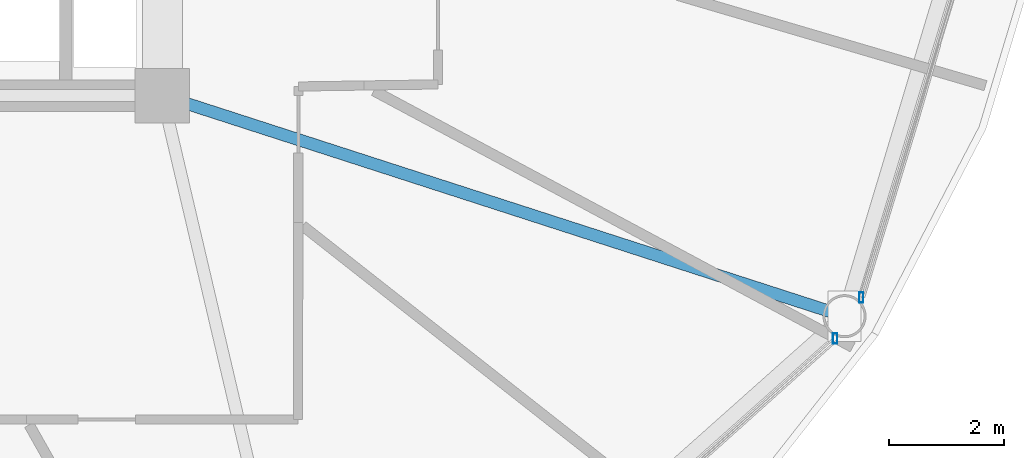
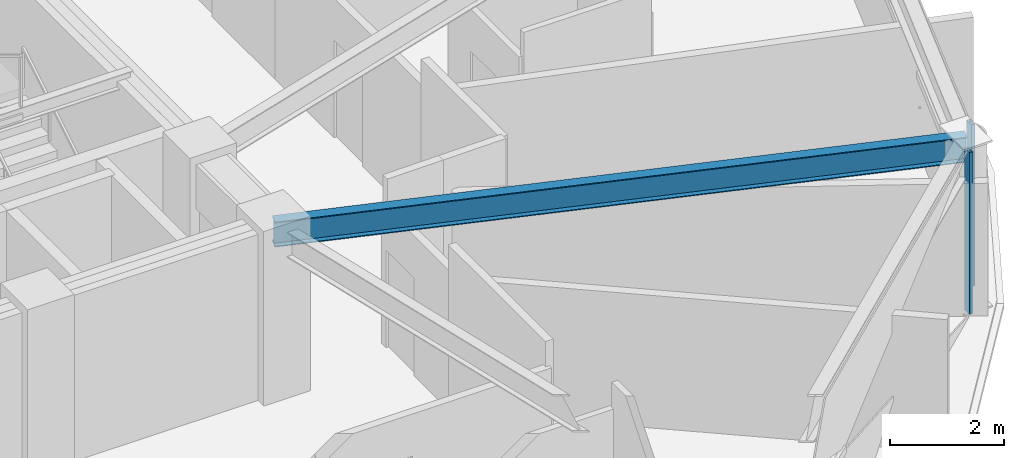
# One storey, part 11 of 30: 2 members, 1 beam, 2 elements without a shape of their own.
"""IFC4 building model written with IfcOpenShell, lengths in metres."""

from ifc_helpers import new_model, si_unit, direction, frame, origin, origin_2d, place, context, subcontext, project, spatial, hollow_rectangle, i_section, extrude, material, layer, layer_set, material_profile, profile_set, type_object, element, aggregate, save


model = new_model("IFC4")

# Units and contexts
model_context = context("Model", 3, precision=1e-05, world=origin(), true_north=direction((0.0, 1.0)))
body_context = subcontext(model_context, "Body", "Model", "MODEL_VIEW")
ifc_project = project(units=[si_unit("LENGTHUNIT", "METRE"), si_unit("AREAUNIT", "SQUARE_METRE"), si_unit("VOLUMEUNIT", "CUBIC_METRE"), si_unit("PLANEANGLEUNIT", "RADIAN"), si_unit("MASSUNIT", "GRAM", prefix="KILO")], contexts=[model_context])

# Site, building, storey
site_placement = place(None, origin())
site = spatial("IfcSite", under=ifc_project, at=site_placement, CompositionType="ELEMENT")
building_placement = place(site_placement, origin())
building = spatial("IfcBuilding", under=site, at=building_placement, Name="Vantalir Tower", CompositionType="ELEMENT")
storey_placement = place(building_placement, frame((0.0, 0.0, 153.449951171875)))
storey = spatial("IfcBuildingStorey", under=building, at=storey_placement, Name="L38", CompositionType="ELEMENT", Elevation=153.449951171875)

# Beam
ifc_material_1 = material(Name="Steel S355", Category="steel")
ifc_material_profile_1 = material_profile(ifc_material_1, i_section(OverallWidth=0.2109375, OverallDepth=0.5390625, WebThickness=0.01171875, FlangeThickness=0.018798828125, at=origin_2d()), Name="Steel S355")
ifc_profile_set_1 = profile_set([ifc_material_profile_1], Name="Steel S355")
beam_type = type_object("IfcBeamType", Name="BM-RB-533x210", PredefinedType="BEAM", material=ifc_profile_set_1)
beam_placement = place(storey_placement, frame((52.962890625, 13.965087890625, 3.301025390625), z_axis=(-0.95151500296, 0.307602339298, 0.0), x_axis=(-0.307602339298, -0.95151500296, 0.0)))
element("IfcBeam", 1, at=beam_placement, inside=storey, type_object=beam_type, Name="L38 Radial Floor Beam 12", PredefinedType="BEAM", context=body_context, shape_type="SweptSolid", body=[
    extrude(i_section(OverallWidth=0.2109375, OverallDepth=0.5390625, WebThickness=0.01171875, FlangeThickness=0.018798828125, at=origin_2d()), origin(), (0.0, 0.0, 1.0), 12.46728515625),
])

# Curtain wall, member
ifc_material_2 = material(Name="Champagne-silver PVDF aluminium and double-silver Low-E glass", Category="aluminium")
ifc_layer = layer(ifc_material_2, 0.199951171875)
ifc_layer_set = layer_set([ifc_layer], Name="Champagne-silver PVDF aluminium and double-silver Low-E glass")
curtain_wall_type = type_object("IfcCurtainWallType", Name="CW-DIAMOND-Z2", PredefinedType="USERDEFINED", material=ifc_layer_set)
curtain_wall_1_placement = place(storey_placement, origin())
curtain_wall_1 = element("IfcCurtainWall", 2, at=curtain_wall_1_placement, inside=storey, type_object=curtain_wall_type, Name="L38 Quilted Pyramid-Diamond Curtain Wall S11", ObjectType="UNITISED CURTAIN WALL", PredefinedType="USERDEFINED")
ifc_material_3 = material(Name="Champagne-silver PVDF aluminium 6063-T6", Category="aluminium")
ifc_material_profile_2 = material_profile(ifc_material_3, hollow_rectangle(XDim=0.074951171875, YDim=0.179931640625, WallThickness=0.00390625, at=origin_2d()), Name="Champagne-silver PVDF aluminium 6063-T6")
ifc_profile_set_2 = profile_set([ifc_material_profile_2], Name="Champagne-silver PVDF aluminium 6063-T6")
member_type = type_object("IfcMemberType", Name="CWM-180x75", PredefinedType="MULLION", material=ifc_profile_set_2)
member_1_placement = place(storey_placement, frame((52.799072265625, 13.576904296875, 0.045166015625), z_axis=(0.0, 0.0, 1.0), x_axis=(1.0, 0.0, 0.0)))
member_1 = element("IfcMember", 3, at=member_1_placement, type_object=member_type, Name="CW-L38-S11 Mullion 2", PredefinedType="MULLION", context=body_context, shape_type="SweptSolid", body=[
    extrude(hollow_rectangle(XDim=0.074951171875, YDim=0.179931640625, WallThickness=0.00390625, at=origin_2d()), origin(), (0.0, 0.0, 1.0), 3.47998046875),
])
aggregate(curtain_wall_1, [member_1])

curtain_wall_2_placement = place(storey_placement, origin())
curtain_wall_2 = element("IfcCurtainWall", 4, at=curtain_wall_2_placement, inside=storey, type_object=curtain_wall_type, Name="L38 Quilted Pyramid-Diamond Curtain Wall S12", ObjectType="UNITISED CURTAIN WALL", PredefinedType="USERDEFINED")
member_2_placement = place(storey_placement, frame((53.25390625, 14.291015625, 0.045166015625), z_axis=(0.0, 0.0, 1.0), x_axis=(1.0, 0.0, 0.0)))
member_2 = element("IfcMember", 5, at=member_2_placement, type_object=member_type, Name="CW-L38-S12 Mullion 1", PredefinedType="MULLION", context=body_context, shape_type="SweptSolid", body=[
    extrude(hollow_rectangle(XDim=0.074951171875, YDim=0.179931640625, WallThickness=0.00390625, at=origin_2d()), origin(), (0.0, 0.0, 1.0), 3.47998046875),
])
aggregate(curtain_wall_2, [member_2])

save(model, "model.ifc")
